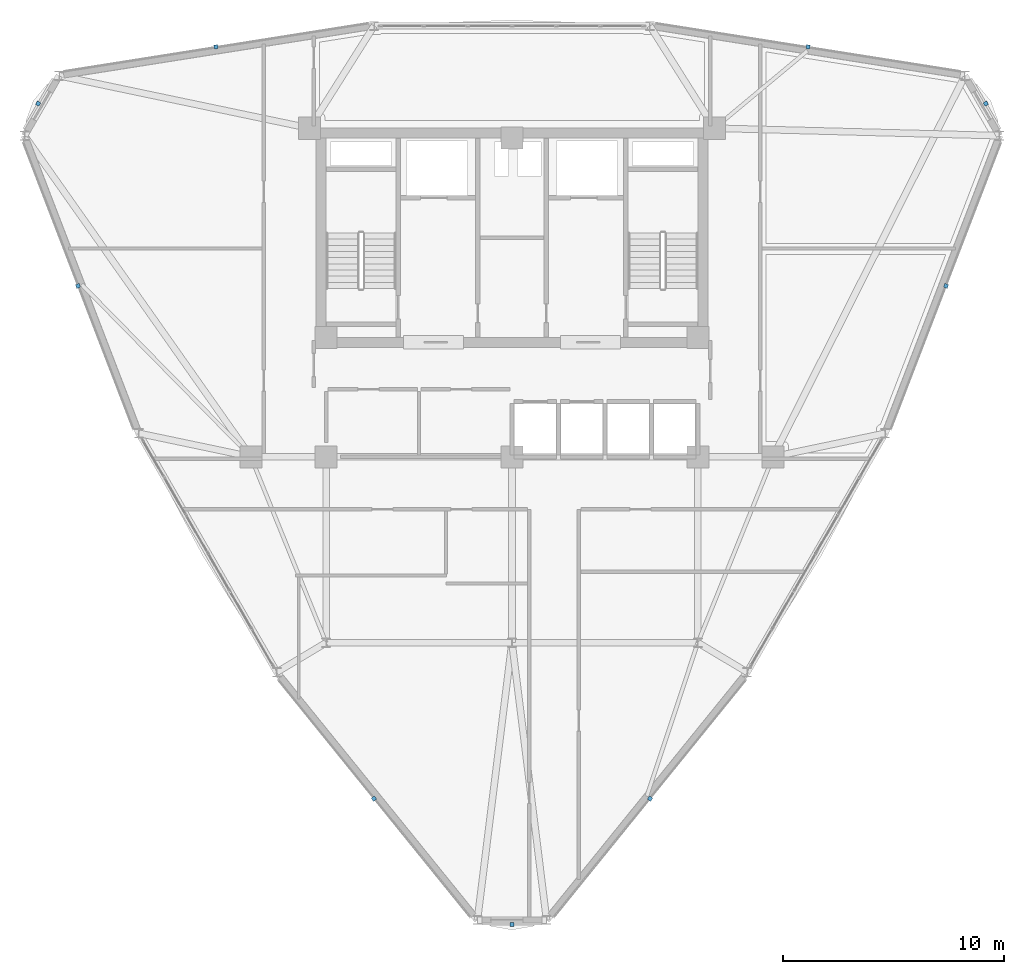
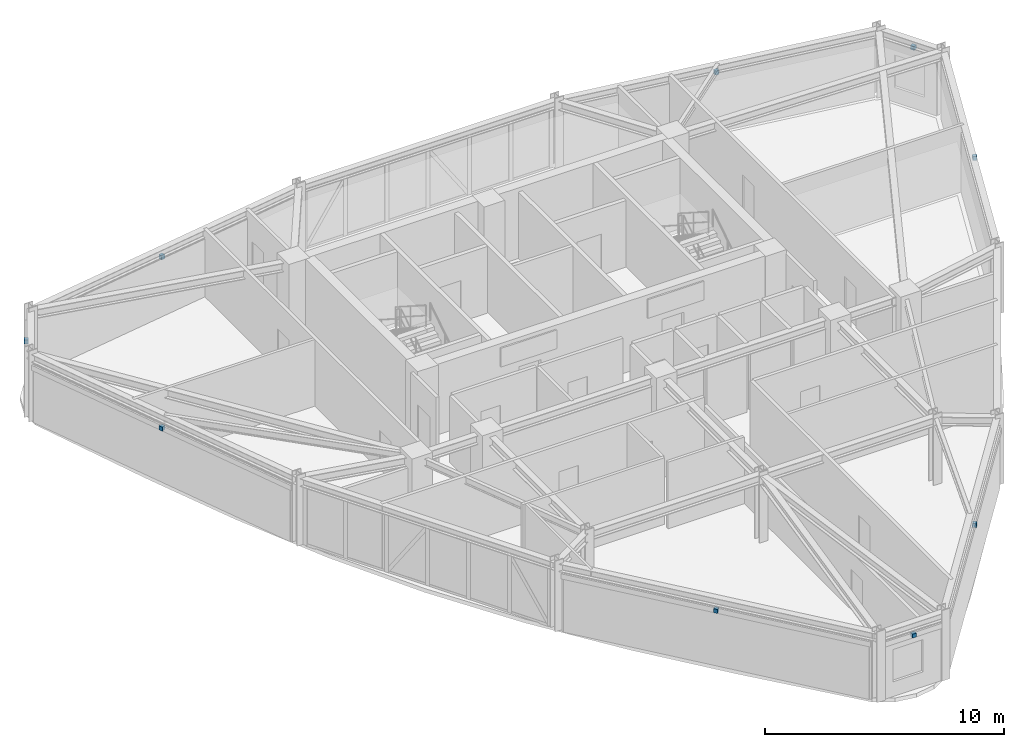
# One storey, part 12 of 14: 9 discrete accessories.
"""IFC4 building model written with IfcOpenShell, lengths in metres."""

from ifc_helpers import new_model, si_unit, derived_unit, direction, frame, origin, origin_2d, place, context, subcontext, project, spatial, rectangle, extrude, source, transform, mapped, material, type_object, element, save


model = new_model("IFC4")

# Units and contexts
model_context = context("Model", 3, precision=1e-05, world=origin(), true_north=direction((0.0, 1.0)))
body_context = subcontext(model_context, "Body", "Model", "MODEL_VIEW")
ifc_project = project(units=[si_unit("LENGTHUNIT", "METRE"), si_unit("AREAUNIT", "SQUARE_METRE"), si_unit("VOLUMEUNIT", "CUBIC_METRE"), si_unit("PLANEANGLEUNIT", "RADIAN"), si_unit("MASSUNIT", "GRAM", prefix="KILO"), derived_unit("THERMALTRANSMITTANCEUNIT", [(si_unit("POWERUNIT", "WATT"), 1), (si_unit("LENGTHUNIT", "METRE"), -2), (si_unit("THERMODYNAMICTEMPERATUREUNIT", "KELVIN"), -1)])], contexts=[model_context])

# Site, building, storey
site_placement = place(None, origin())
site = spatial("IfcSite", under=ifc_project, at=site_placement, CompositionType="ELEMENT")
building_placement = place(site_placement, origin())
building = spatial("IfcBuilding", under=site, at=building_placement, Name="Korsvarv Bourse and Concert Hall", CompositionType="ELEMENT")
storey_placement = place(building_placement, frame((0.0, 0.0, 190.199951171875)))
storey = spatial("IfcBuildingStorey", under=building, at=storey_placement, Name="L49", CompositionType="ELEMENT", Elevation=190.199951171875)

# Discrete accessories
ifc_material = material(Name="Stainless Steel S355 facade outrigger bracket", Category="steel")
discrete_accessory_type = type_object("IfcDiscreteAccessoryType", Name="ACC-BRK-1", PredefinedType="BRACKET", material=ifc_material)
shared_shape = source(origin(), body_context, "Body", "SweptSolid", [
    extrude(rectangle(XDim=0.179931640625, YDim=0.179931640625, at=origin_2d()), origin(), (0.0, 0.0, 1.0), 0.199951171875),
])
for number, where, z_axis, x_axis, name in (
    (1, (57.412353515625, 48.3623046875, 2.75), (0.0, 0.0, 1.0), (-0.5, 0.866025403784, 0.0), "L49 terracotta sunshade bracket EW-L49-B01"),
    (2, (49.37744140625, 50.9248046875, 2.75), (0.0, 0.0, 1.0), (-0.98774288635, 0.156089687246, 0.0), "L49 terracotta sunshade bracket EW-L49-B02"),
    (3, (22.62255859375, 50.9248046875, 2.68994140625), (0.0, 0.0, 1.0), (-0.98774288635, -0.156089687246, 0.0), "L49 terracotta sunshade bracket EW-L49-B04"),
    (4, (14.587646484375, 48.3623046875, 2.75), (0.0, 0.0, 1.0), (-0.5, -0.866025403784, 0.0), "L49 terracotta sunshade bracket EW-L49-B05"),
    (5, (16.385986328125, 40.122802734375, 2.68994140625), (0.0, 0.0, 1.0), (0.358693808751, -0.93345527561, 0.0), "L49 terracotta sunshade bracket EW-L49-B06"),
    (6, (29.76318359375, 16.952392578125, 2.75), (0.0, 0.0, 1.0), (0.629049077599, -0.777365588364, 0.0), "L49 terracotta sunshade bracket EW-L49-B08"),
    (7, (36.0, 11.275146484375, 2.75), (0.0, 0.0, 1.0), (1.0, 0.0, 0.0), "L49 terracotta sunshade bracket EW-L49-B09"),
    (8, (42.23681640625, 16.952392578125, 2.75), (0.0, 0.0, 1.0), (0.629049077599, 0.777365588364, 0.0), "L49 terracotta sunshade bracket EW-L49-B10"),
    (9, (55.614013671875, 40.122802734375, 2.75), (0.0, 0.0, 1.0), (0.358693808751, 0.93345527561, 0.0), "L49 terracotta sunshade bracket EW-L49-B12"),
):
    element("IfcDiscreteAccessory", number, at=place(storey_placement, frame(where, z_axis=z_axis, x_axis=x_axis)), inside=storey, type_object=discrete_accessory_type, Name=name, PredefinedType="BRACKET", context=body_context, shape_type="MappedRepresentation", body=[
        mapped(shared_shape, transform((0.0, 0.0, 0.0), scale=1.0)),
    ])

save(model, "model.ifc")
